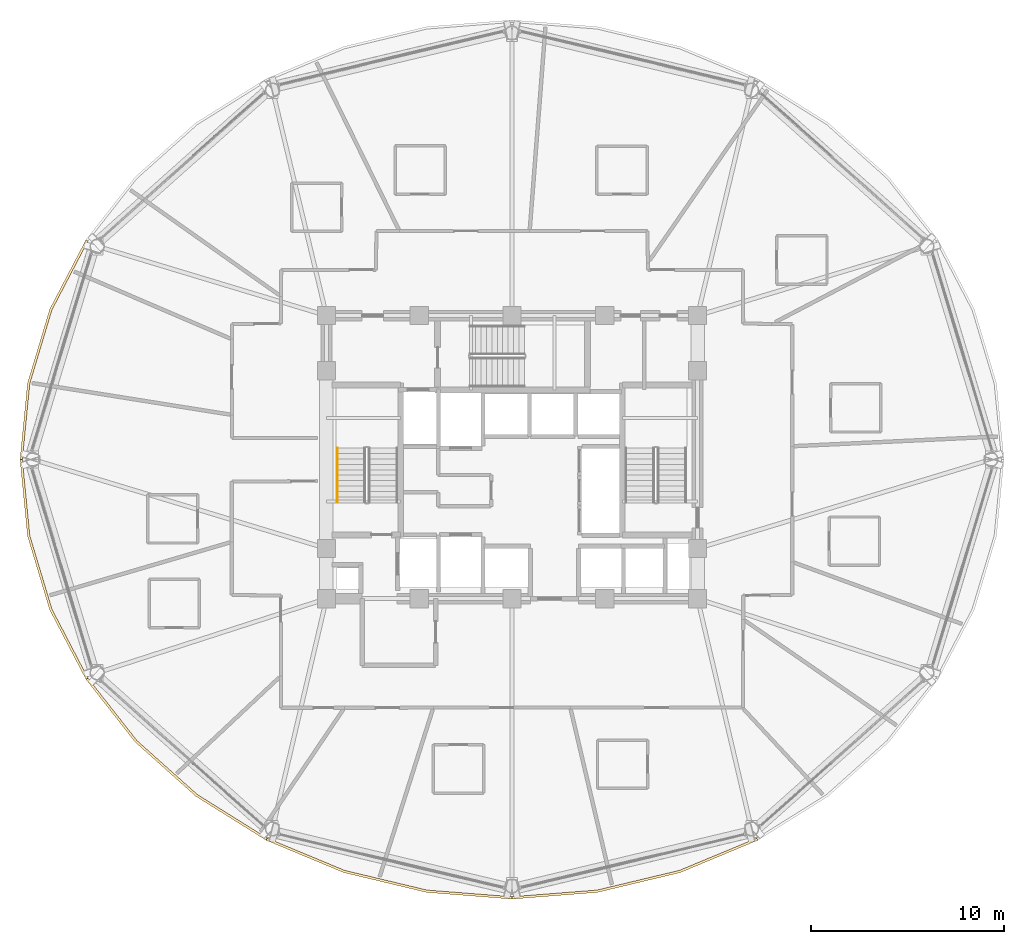
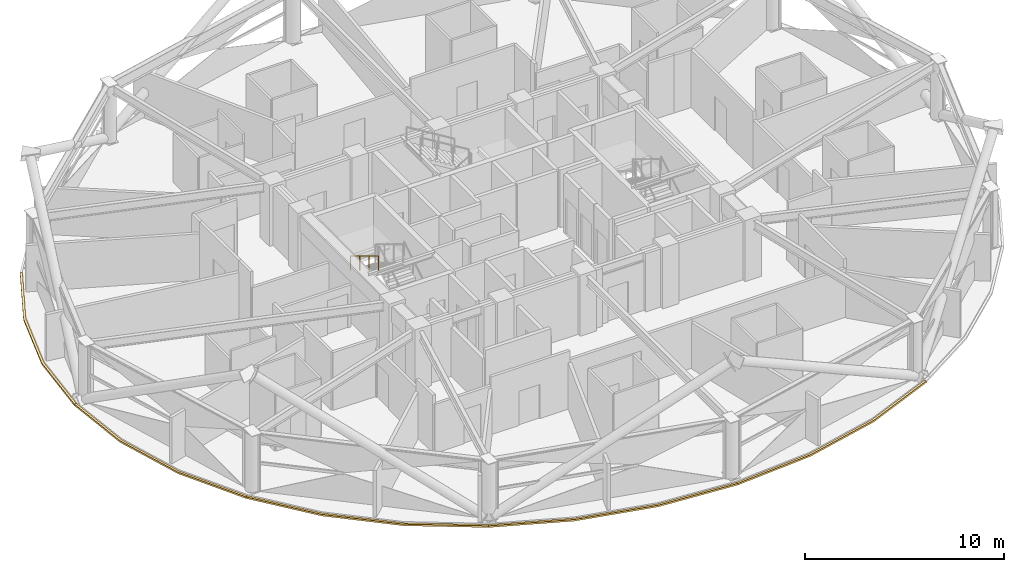
# One storey, part 26 of 29: 5 coverings, 1 railing.
"""IFC4 building model written with IfcOpenShell, lengths in metres."""

from ifc_helpers import new_model, si_unit, direction, frame, origin, origin_2d, place, context, subcontext, project, spatial, polyline, rectangle, outline, extrude, material, layer, layer_set, type_object, element, save


model = new_model("IFC4")

# Units and contexts
model_context = context("Model", 3, precision=1e-05, world=origin(), true_north=direction((0.0, 1.0)))
body_context = subcontext(model_context, "Body", "Model", "MODEL_VIEW")
ifc_project = project(units=[si_unit("LENGTHUNIT", "METRE"), si_unit("AREAUNIT", "SQUARE_METRE"), si_unit("VOLUMEUNIT", "CUBIC_METRE"), si_unit("PLANEANGLEUNIT", "RADIAN"), si_unit("MASSUNIT", "GRAM", prefix="KILO")], contexts=[model_context])

# Site, building, storey
site_placement = place(None, origin())
site = spatial("IfcSite", under=ifc_project, at=site_placement, CompositionType="ELEMENT")
building_placement = place(site_placement, origin())
building = spatial("IfcBuilding", under=site, at=building_placement, Name="Vantalir Tower", CompositionType="ELEMENT")
storey_placement = place(building_placement, frame((0.0, 0.0, 149.699951171875)))
storey = spatial("IfcBuildingStorey", under=building, at=storey_placement, Name="L37", CompositionType="ELEMENT", Elevation=149.699951171875)

# Coverings
ifc_material_1 = material(Name="Anodised champagne aluminium sill fascia", Category="aluminium")
ifc_layer = layer(ifc_material_1, 0.125)
ifc_layer_set = layer_set([ifc_layer], Name="Anodised champagne aluminium sill fascia")
covering_type = type_object("IfcCoveringType", Name="COV-SLAB-FASCIA-125", PredefinedType="CLADDING", material=ifc_layer_set)
covering_1_placement = place(storey_placement, frame((0.0, 0.0, -0.179931640625)))
element("IfcCovering", 1, at=covering_1_placement, inside=storey, type_object=covering_type, Name="L37 Perimeter Slab-Edge Sill Fascia 06", PredefinedType="CLADDING", context=body_context, shape_type="SweptSolid", body=[
    extrude(outline(polyline([(9.452880859375, 36.3720703125), (7.576904296875, 32.779052734375), (6.428955078125, 28.948974609375), (6.0419921875, 25.0), (6.1669921875, 25.0), (6.552001953125, 28.927978515625), (7.695068359375, 32.736083984375), (9.56103515625, 36.30908203125), (9.452880859375, 36.3720703125)])), origin(), (0.0, 0.0, 1.0), 0.10498046875),
])
covering_2_placement = place(storey_placement, frame((0.0, 0.0, -0.179931640625)))
element("IfcCovering", 2, at=covering_2_placement, inside=storey, type_object=covering_type, Name="L37 Perimeter Slab-Edge Sill Fascia 07", PredefinedType="CLADDING", context=body_context, shape_type="SweptSolid", body=[
    extrude(outline(polyline([(6.0419921875, 25.0), (6.428955078125, 21.051025390625), (7.576904296875, 17.220947265625), (9.452880859375, 13.6279296875), (9.56103515625, 13.68994140625), (7.695068359375, 17.263916015625), (6.552001953125, 21.072021484375), (6.1669921875, 25.0), (6.0419921875, 25.0)])), origin(), (0.0, 0.0, 1.0), 0.10498046875),
])
covering_3_placement = place(storey_placement, frame((0.0, 0.0, -0.179931640625)))
element("IfcCovering", 3, at=covering_3_placement, inside=storey, type_object=covering_type, Name="L37 Perimeter Slab-Edge Sill Fascia 08", PredefinedType="CLADDING", context=body_context, shape_type="SweptSolid", body=[
    extrude(outline(polyline([(9.452880859375, 13.6279296875), (11.998046875, 10.3798828125), (15.135986328125, 7.576904296875), (18.77099609375, 5.302978515625), (18.8330078125, 5.410888671875), (15.216064453125, 7.673095703125), (12.093994140625, 10.4609375), (9.56103515625, 13.68994140625), (9.452880859375, 13.6279296875)])), origin(), (0.0, 0.0, 1.0), 0.10498046875),
])
covering_4_placement = place(storey_placement, frame((0.0, 0.0, -0.179931640625)))
element("IfcCovering", 4, at=covering_4_placement, inside=storey, type_object=covering_type, Name="L37 Perimeter Slab-Edge Sill Fascia 09", PredefinedType="CLADDING", context=body_context, shape_type="SweptSolid", body=[
    extrude(outline(polyline([(18.77099609375, 5.302978515625), (22.79296875, 3.6279296875), (27.0791015625, 2.60205078125), (31.5, 2.256103515625), (31.5, 2.381103515625), (27.10107421875, 2.72509765625), (22.8359375, 3.7451171875), (18.8330078125, 5.410888671875), (18.77099609375, 5.302978515625)])), origin(), (0.0, 0.0, 1.0), 0.10498046875),
])
covering_5_placement = place(storey_placement, frame((0.0, 0.0, -0.179931640625)))
element("IfcCovering", 5, at=covering_5_placement, inside=storey, type_object=covering_type, Name="L37 Perimeter Slab-Edge Sill Fascia 10", PredefinedType="CLADDING", context=body_context, shape_type="SweptSolid", body=[
    extrude(outline(polyline([(31.5, 2.256103515625), (35.9208984375, 2.60205078125), (40.20703125, 3.6279296875), (44.22900390625, 5.302978515625), (44.1669921875, 5.410888671875), (40.1640625, 3.7451171875), (35.89892578125, 2.72509765625), (31.5, 2.381103515625), (31.5, 2.256103515625)])), origin(), (0.0, 0.0, 1.0), 0.10498046875),
])

# Railing
ifc_material_2 = material(Name="Brushed stainless steel tubular handrail", Category="steel")
railing_type = type_object("IfcRailingType", Name="RAL-HANDRAIL-900", PredefinedType="HANDRAIL", material=ifc_material_2)
railing_placement = place(storey_placement, frame((22.449951171875, 25.590087890625, 2.04541015625)))
element("IfcRailing", 6, at=railing_placement, inside=storey, type_object=railing_type, Name="L37 ST1 stair handrail 2", PredefinedType="HANDRAIL", context=body_context, shape_type="SweptSolid", body=[
    extrude(rectangle(XDim=0.048095703125, YDim=0.048095703125, at=origin_2d()), frame((0.0, 0.0, 0.8759765625), z_axis=(0.0, -0.854169791009, 0.51999420009), x_axis=(1.0, 0.0, 0.0)), (0.0, 0.0, 1.0), 3.278076171875),
    extrude(rectangle(XDim=0.0419921875, YDim=0.0419921875, at=origin_2d()), origin(), (0.0, 0.0, 1.0), 0.851806640625),
    extrude(rectangle(XDim=0.0419921875, YDim=0.0419921875, at=origin_2d()), frame((0.0, -0.933349609375, 0.568115234375)), (0.0, 0.0, 1.0), 0.851806640625),
    extrude(rectangle(XDim=0.0419921875, YDim=0.0419921875, at=origin_2d()), frame((0.0, -1.86669921875, 1.136474609375)), (0.0, 0.0, 1.0), 0.851806640625),
    extrude(rectangle(XDim=0.0419921875, YDim=0.0419921875, at=origin_2d()), frame((0.0, -2.800048828125, 1.70458984375)), (0.0, 0.0, 1.0), 0.851806640625),
])

save(model, "model.ifc")
